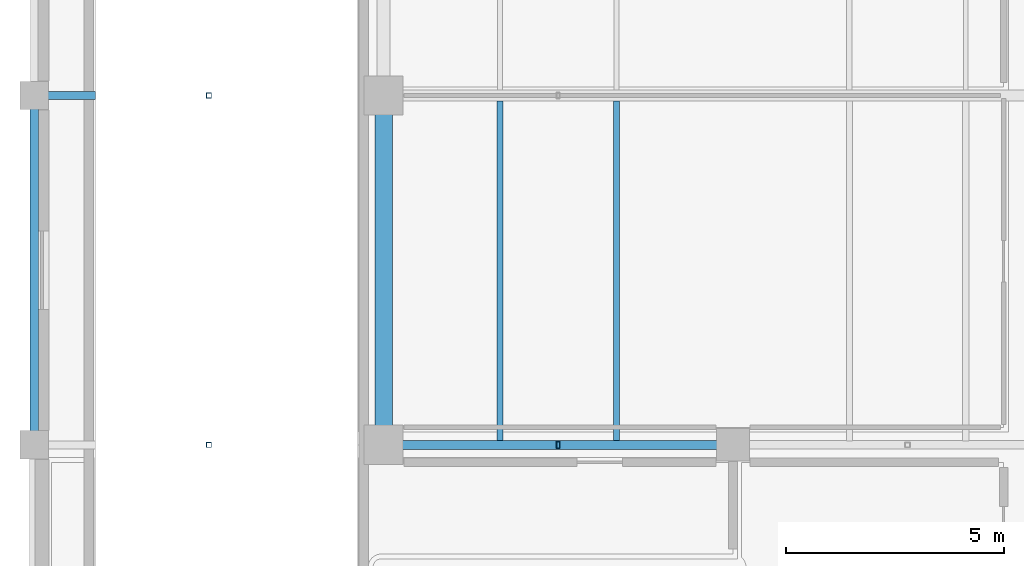
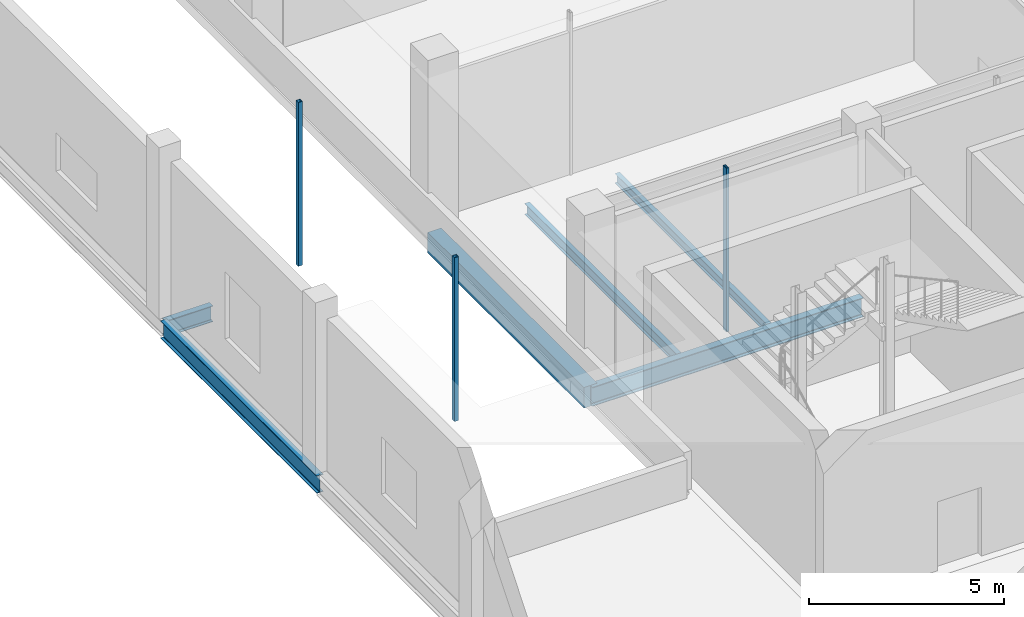
# One storey, part 17 of 57: 6 beams, 3 members.
"""IFC4 building model written with IfcOpenShell, lengths in metres."""

from ifc_helpers import new_model, si_unit, derived_unit, direction, frame, origin, origin_2d, place, context, subcontext, project, spatial, rectangle, hollow_rectangle, i_section, extrude, material, material_profile, profile_set, type_object, element, save


model = new_model("IFC4")

# Units and contexts
model_context = context("Model", 3, precision=1e-05, world=origin(), true_north=direction((0.0, 1.0)))
body_context = subcontext(model_context, "Body", "Model", "MODEL_VIEW")
ifc_project = project(units=[si_unit("LENGTHUNIT", "METRE"), si_unit("AREAUNIT", "SQUARE_METRE"), si_unit("VOLUMEUNIT", "CUBIC_METRE"), si_unit("PLANEANGLEUNIT", "RADIAN"), si_unit("MASSUNIT", "GRAM", prefix="KILO"), derived_unit("THERMALTRANSMITTANCEUNIT", [(si_unit("POWERUNIT", "WATT"), 1), (si_unit("LENGTHUNIT", "METRE"), -2), (si_unit("THERMODYNAMICTEMPERATUREUNIT", "KELVIN"), -1)])], contexts=[model_context])

# Site, building, storey
site_placement = place(None, origin())
site = spatial("IfcSite", under=ifc_project, at=site_placement, CompositionType="ELEMENT")
building_placement = place(site_placement, origin())
building = spatial("IfcBuilding", under=site, at=building_placement, Name="Nallur Shell Playhouse", CompositionType="ELEMENT")
storey_placement = place(building_placement, origin())
storey = spatial("IfcBuildingStorey", under=building, at=storey_placement, Name="L01", CompositionType="ELEMENT", Elevation=0.0)

# Beams
ifc_material_1 = material(Name="Steel E250", Category="steel")
ifc_material_profile_1 = material_profile(ifc_material_1, i_section(OverallWidth=0.139892578125, OverallDepth=0.300048828125, WebThickness=0.0078125, FlangeThickness=0.01318359375, FilletRadius=0.013916015625, at=origin_2d()), Name="ISMB 300")
ifc_profile_set_1 = profile_set([ifc_material_profile_1], Name="Steel E250")
beam_type_1 = type_object("IfcBeamType", Name="BM-JST-ISMB300", PredefinedType="JOIST", material=ifc_profile_set_1)
beam_1_placement = place(storey_placement, frame((21.333251953125, 24.10302734375, -0.469970703125), z_axis=(0.0, 1.0, 0.0), x_axis=(-1.0, 0.0, 0.0)))
element("IfcBeam", 1, at=beam_1_placement, inside=storey, type_object=beam_type_1, Name="L01 secondary joist 2-C-189", PredefinedType="JOIST", context=body_context, shape_type="SweptSolid", body=[
    extrude(i_section(OverallWidth=0.139892578125, OverallDepth=0.300048828125, WebThickness=0.0078125, FlangeThickness=0.01318359375, FilletRadius=0.013916015625, at=origin_2d()), origin(), (0.0, 0.0, 1.0), 7.77392578125),
])
ifc_material_profile_2 = material_profile(ifc_material_1, i_section(OverallWidth=0.139892578125, OverallDepth=0.35009765625, WebThickness=0.008056640625, FlangeThickness=0.01416015625, FilletRadius=0.013916015625, at=origin_2d()), Name="ISMB 350")
ifc_profile_set_2 = profile_set([ifc_material_profile_2], Name="Steel E250")
beam_type_2 = type_object("IfcBeamType", Name="BM-JST-ISMB350", PredefinedType="JOIST", material=ifc_profile_set_2)
beam_2_placement = place(storey_placement, frame((18.666748046875, 24.10302734375, -0.4951171875), z_axis=(0.0, 1.0, 0.0), x_axis=(-1.0, 0.0, 0.0)))
element("IfcBeam", 2, at=beam_2_placement, inside=storey, type_object=beam_type_2, Name="L01 secondary joist 2-C-188", PredefinedType="JOIST", context=body_context, shape_type="SweptSolid", body=[
    extrude(i_section(OverallWidth=0.139892578125, OverallDepth=0.35009765625, WebThickness=0.008056640625, FlangeThickness=0.01416015625, FilletRadius=0.013916015625, at=origin_2d()), origin(), (0.0, 0.0, 1.0), 7.77392578125),
])
ifc_material_2 = material(Name="Concrete M35", Category="concrete")
ifc_material_profile_3 = material_profile(ifc_material_2, rectangle(XDim=0.39990234375, YDim=0.64990234375, at=origin_2d()), Name="RC 400x650")
ifc_profile_set_3 = profile_set([ifc_material_profile_3], Name="Concrete M35")
beam_type_3 = type_object("IfcBeamType", Name="BM-RC-400x650", PredefinedType="BEAM", material=ifc_profile_set_3)
beam_3_placement = place(storey_placement, frame((16.0, 24.0, -0.64501953125), z_axis=(0.0, 1.0, 0.0), x_axis=(-1.0, 0.0, 0.0)))
element("IfcBeam", 3, at=beam_3_placement, inside=storey, type_object=beam_type_3, Name="L01 girder Y-2-95", PredefinedType="BEAM", context=body_context, shape_type="SweptSolid", body=[
    extrude(rectangle(XDim=0.39990234375, YDim=0.64990234375, at=origin_2d()), origin(), (0.0, 0.0, 1.0), 8.0),
])
ifc_material_3 = material(Name="Steel E350", Category="steel")
ifc_material_profile_4 = material_profile(ifc_material_3, i_section(OverallWidth=0.179931640625, OverallDepth=0.5, WebThickness=0.01025390625, FlangeThickness=0.01708984375, FilletRadius=0.01708984375, at=origin_2d()), Name="ISMB 500")
ifc_profile_set_4 = profile_set([ifc_material_profile_4], Name="Steel E350")
beam_type_4 = type_object("IfcBeamType", Name="BM-ST-ISMB500", PredefinedType="BEAM", material=ifc_profile_set_4)
beam_4_placement = place(storey_placement, frame((8.0, 32.0, -0.570068359375), z_axis=(1.0, 0.0, 0.0), x_axis=(0.0, 1.0, 0.0)))
element("IfcBeam", 4, at=beam_4_placement, inside=storey, type_object=beam_type_4, Name="L01 west ramp-edge support beam Y=32.0", PredefinedType="BEAM", context=body_context, shape_type="SweptSolid", body=[
    extrude(i_section(OverallWidth=0.179931640625, OverallDepth=0.5, WebThickness=0.01025390625, FlangeThickness=0.01708984375, FilletRadius=0.01708984375, at=origin_2d()), origin(), (0.0, 0.0, 1.0), 1.39990234375),
])
ifc_material_profile_5 = material_profile(ifc_material_3, i_section(OverallWidth=0.18994140625, OverallDepth=0.550048828125, WebThickness=0.01123046875, FlangeThickness=0.019287109375, FilletRadius=0.01806640625, at=origin_2d()), Name="ISMB 550")
ifc_profile_set_5 = profile_set([ifc_material_profile_5], Name="Steel E350")
beam_type_5 = type_object("IfcBeamType", Name="BM-ST-ISMB550", PredefinedType="BEAM", material=ifc_profile_set_5)
beam_5_placement = place(storey_placement, frame((8.0, 24.0, -0.594970703125), z_axis=(0.0, 1.0, 0.0), x_axis=(-1.0, 0.0, 0.0)))
element("IfcBeam", 5, at=beam_5_placement, inside=storey, type_object=beam_type_5, Name="L01 girder Y-1-89", PredefinedType="BEAM", context=body_context, shape_type="SweptSolid", body=[
    extrude(i_section(OverallWidth=0.18994140625, OverallDepth=0.550048828125, WebThickness=0.01123046875, FlangeThickness=0.019287109375, FilletRadius=0.01806640625, at=origin_2d()), origin(), (0.0, 0.0, 1.0), 8.0),
])
ifc_material_profile_6 = material_profile(ifc_material_3, i_section(OverallWidth=0.2099609375, OverallDepth=0.60009765625, WebThickness=0.011962890625, FlangeThickness=0.020751953125, FilletRadius=0.02001953125, at=origin_2d()), Name="ISMB 600")
ifc_profile_set_6 = profile_set([ifc_material_profile_6], Name="Steel E350")
beam_type_6 = type_object("IfcBeamType", Name="BM-ST-ISMB600", PredefinedType="BEAM", material=ifc_profile_set_6)
beam_6_placement = place(storey_placement, frame((16.0, 24.0, -0.6201171875), z_axis=(1.0, 0.0, 0.0), x_axis=(0.0, 1.0, 0.0)))
element("IfcBeam", 6, at=beam_6_placement, inside=storey, type_object=beam_type_6, Name="L01 girder X-C-24", PredefinedType="BEAM", context=body_context, shape_type="SweptSolid", body=[
    extrude(i_section(OverallWidth=0.2099609375, OverallDepth=0.60009765625, WebThickness=0.011962890625, FlangeThickness=0.020751953125, FilletRadius=0.02001953125, at=origin_2d()), origin(), (0.0, 0.0, 1.0), 8.0),
])

# Members
ifc_material_profile_7 = material_profile(ifc_material_1, hollow_rectangle(XDim=0.080078125, YDim=0.159912109375, WallThickness=0.006103515625, at=origin_2d()), Name="RHS 160x80x6")
ifc_profile_set_7 = profile_set([ifc_material_profile_7], Name="Steel E250")
member_type_1 = type_object("IfcMemberType", Name="MB-STUD-RHS160", PredefinedType="STUD", material=ifc_profile_set_7)
member_placement = place(storey_placement, frame((20.0, 24.0, 0.0), z_axis=(0.0, 0.0, 1.0), x_axis=(1.0, 0.0, 0.0)))
element("IfcMember", 7, at=member_placement, inside=storey, type_object=member_type_1, Name="L01 acoustic isolation wall stud 04", PredefinedType="STUD", context=body_context, shape_type="SweptSolid", body=[
    extrude(hollow_rectangle(XDim=0.080078125, YDim=0.159912109375, WallThickness=0.006103515625, at=origin_2d()), origin(), (0.0, 0.0, 1.0), 5.1201171875),
])
ifc_material_profile_8 = material_profile(ifc_material_1, hollow_rectangle(XDim=0.1201171875, YDim=0.1201171875, WallThickness=0.006103515625, at=origin_2d()), Name="SHS 120x120x6")
ifc_profile_set_8 = profile_set([ifc_material_profile_8], Name="Steel E250")
member_type_2 = type_object("IfcMemberType", Name="MB-STUD-SHS120", PredefinedType="STUD", material=ifc_profile_set_8)
for number, where, z_axis, x_axis, name in (
    (8, (12.0, 24.0, 0.0), (0.0, 0.0, 1.0), (1.0, 0.0, 0.0), "L01 acoustic isolation wall stud 03"),
    (9, (12.0, 32.0, 0.0), (0.0, 0.0, 1.0), (1.0, 0.0, 0.0), "L01 acoustic isolation wall stud 05"),
):
    element("IfcMember", number, at=place(storey_placement, frame(where, z_axis=z_axis, x_axis=x_axis)), inside=storey, type_object=member_type_2, Name=name, PredefinedType="STUD", context=body_context, shape_type="SweptSolid", body=[
        extrude(hollow_rectangle(XDim=0.1201171875, YDim=0.1201171875, WallThickness=0.006103515625, at=origin_2d()), origin(), (0.0, 0.0, 1.0), 5.1201171875),
    ])

save(model, "model.ifc")
